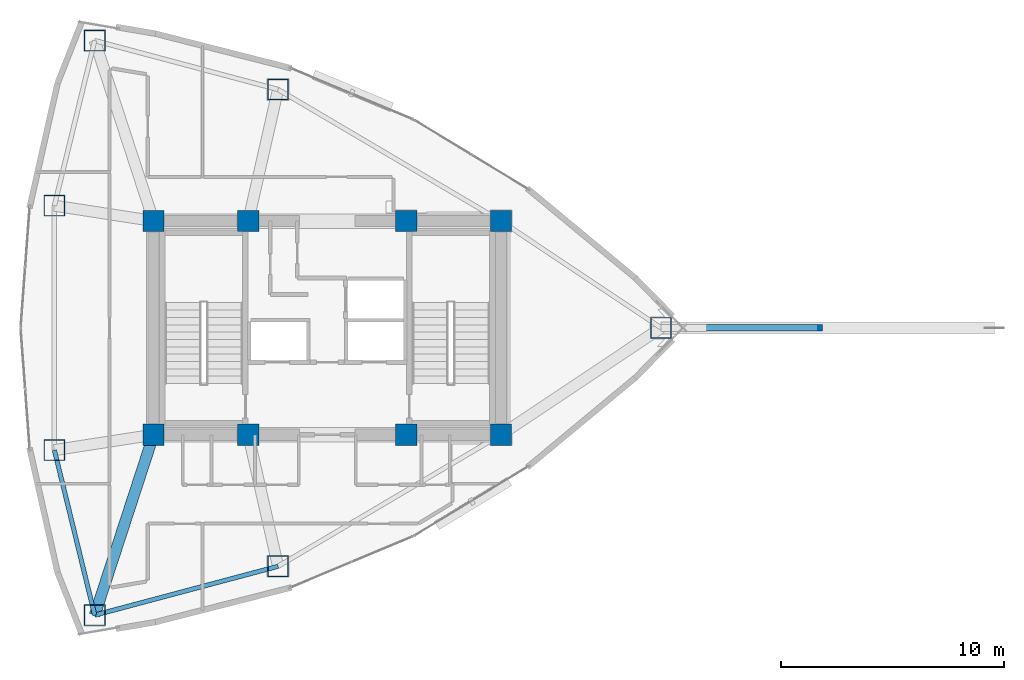
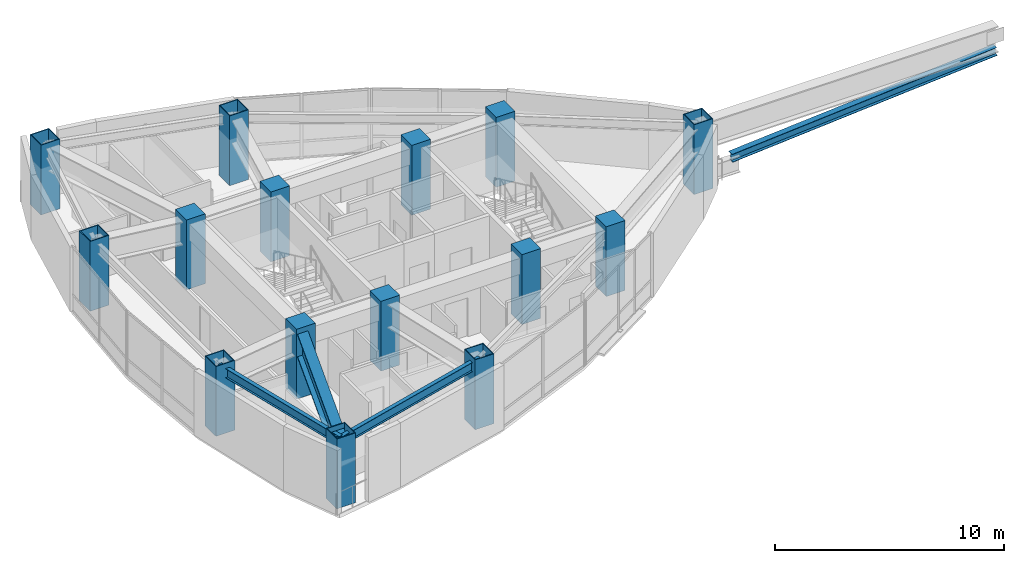
# One storey, part 1 of 15: 16 columns, 3 beams.
"""IFC4 building model written with IfcOpenShell, lengths in metres."""

from ifc_helpers import new_model, si_unit, direction, frame, origin, origin_2d, place, context, subcontext, project, spatial, rectangle, hollow_rectangle, i_section, extrude, material, material_profile, profile_set, type_object, element, save


model = new_model("IFC4")

# Units and contexts
model_context = context("Model", 3, precision=1e-05, world=origin(), true_north=direction((0.0, 1.0)))
body_context = subcontext(model_context, "Body", "Model", "MODEL_VIEW")
ifc_project = project(units=[si_unit("LENGTHUNIT", "METRE"), si_unit("AREAUNIT", "SQUARE_METRE"), si_unit("VOLUMEUNIT", "CUBIC_METRE"), si_unit("PLANEANGLEUNIT", "RADIAN"), si_unit("MASSUNIT", "GRAM", prefix="KILO")], contexts=[model_context])

# Site, building, storey
site_placement = place(None, origin())
site = spatial("IfcSite", under=ifc_project, at=site_placement, CompositionType="ELEMENT")
building_placement = place(site_placement, origin())
building = spatial("IfcBuilding", under=site, at=building_placement, Name="Menara Vayukalpa", CompositionType="ELEMENT")
storey_placement = place(building_placement, frame((0.0, 0.0, 230.699951171875)))
storey = spatial("IfcBuildingStorey", under=building, at=storey_placement, Name="L58", CompositionType="ELEMENT", Elevation=230.699951171875)

# Columns
ifc_material_1 = material(Name="Concrete C60/75", Category="concrete")
ifc_material_profile_1 = material_profile(ifc_material_1, rectangle(XDim=0.949951171875, YDim=0.949951171875, at=origin_2d()), Name="RC 950x950")
ifc_profile_set_1 = profile_set([ifc_material_profile_1], Name="Concrete C60/75")
column_type_1 = type_object("IfcColumnType", Name="COL-CC2", PredefinedType="COLUMN", material=ifc_profile_set_1)
for number, where, z_axis, x_axis, name in (
    (1, (17.800048828125, 17.199951171875, 0.0), (0.0, 0.0, 1.0), (1.0, 0.0, 0.0), "L58 Core Pilaster Column CC1"),
    (2, (22.050048828125, 17.199951171875, 0.0), (0.0, 0.0, 1.0), (1.0, 0.0, 0.0), "L58 Core Pilaster Column CC2"),
    (3, (29.14990234375, 17.199951171875, 0.0), (0.0, 0.0, 1.0), (1.0, 0.0, 0.0), "L58 Core Pilaster Column CC3"),
    (4, (33.39990234375, 17.199951171875, 0.0), (0.0, 0.0, 1.0), (1.0, 0.0, 0.0), "L58 Core Pilaster Column CC4"),
    (5, (17.800048828125, 26.800048828125, 0.0), (0.0, 0.0, 1.0), (1.0, 0.0, 0.0), "L58 Core Pilaster Column CC5"),
    (6, (22.050048828125, 26.800048828125, 0.0), (0.0, 0.0, 1.0), (1.0, 0.0, 0.0), "L58 Core Pilaster Column CC6"),
    (7, (29.14990234375, 26.800048828125, 0.0), (0.0, 0.0, 1.0), (1.0, 0.0, 0.0), "L58 Core Pilaster Column CC7"),
    (8, (33.39990234375, 26.800048828125, 0.0), (0.0, 0.0, 1.0), (1.0, 0.0, 0.0), "L58 Core Pilaster Column CC8"),
):
    element("IfcColumn", number, at=place(storey_placement, frame(where, z_axis=z_axis, x_axis=x_axis)), inside=storey, type_object=column_type_1, Name=name, PredefinedType="COLUMN", context=body_context, shape_type="SweptSolid", body=[
        extrude(rectangle(XDim=0.949951171875, YDim=0.949951171875, at=origin_2d()), origin(), (0.0, 0.0, 1.0), 3.719970703125),
    ])
ifc_material_2 = material(Name="Steel S460", Category="steel")
ifc_material_profile_2 = material_profile(ifc_material_2, hollow_rectangle(XDim=0.949951171875, YDim=0.949951171875, WallThickness=0.0400390625, at=origin_2d()), Name="BOX 950x950x40")
ifc_profile_set_2 = profile_set([ifc_material_profile_2], Name="Steel S460")
column_type_2 = type_object("IfcColumnType", Name="COL-MC4", PredefinedType="COLUMN", material=ifc_profile_set_2)
for number, where, z_axis, x_axis, name in (
    (9, (40.590576171875, 22.0, 0.0), (0.0, 0.0, 1.0), (1.0, 0.0, 0.0), "L58 Perimeter Mega Column P01"),
    (10, (23.389404296875, 32.70849609375, 0.0), (0.0, 0.0, 1.0), (1.0, 0.0, 0.0), "L58 Perimeter Mega Column P03"),
    (11, (15.15478515625, 34.902587890625, 0.0), (0.0, 0.0, 1.0), (1.0, 0.0, 0.0), "L58 Perimeter Mega Column P04"),
    (12, (13.343994140625, 27.4892578125, 0.0), (0.0, 0.0, 1.0), (1.0, 0.0, 0.0), "L58 Perimeter Mega Column P05"),
    (13, (13.343994140625, 16.5107421875, 0.0), (0.0, 0.0, 1.0), (1.0, 0.0, 0.0), "L58 Perimeter Mega Column P06"),
    (14, (15.15478515625, 9.097412109375, 0.0), (0.0, 0.0, 1.0), (1.0, 0.0, 0.0), "L58 Perimeter Mega Column P07"),
    (15, (23.389404296875, 11.29150390625, 0.0), (0.0, 0.0, 1.0), (1.0, 0.0, 0.0), "L58 Perimeter Mega Column P08"),
):
    element("IfcColumn", number, at=place(storey_placement, frame(where, z_axis=z_axis, x_axis=x_axis)), inside=storey, type_object=column_type_2, Name=name, PredefinedType="COLUMN", context=body_context, shape_type="SweptSolid", body=[
        extrude(hollow_rectangle(XDim=0.949951171875, YDim=0.949951171875, WallThickness=0.0400390625, at=origin_2d()), origin(), (0.0, 0.0, 1.0), 3.719970703125),
    ])
ifc_material_3 = material(Name="Steel S355", Category="steel")
ifc_material_profile_3 = material_profile(ifc_material_3, i_section(OverallWidth=0.300048828125, OverallDepth=0.43994140625, WebThickness=0.010986328125, FlangeThickness=0.01806640625, at=origin_2d()), Name="H 440x300x11x18")
ifc_profile_set_3 = profile_set([ifc_material_profile_3], Name="Steel S355")
column_type_3 = type_object("IfcColumnType", Name="COL-SC2E", PredefinedType="COLUMN", material=ifc_profile_set_3)
column_placement = place(storey_placement, frame((42.240478515625, 22.0, 0.989990234375), z_axis=(0.997025291381, 0.0, 0.077075082533), x_axis=(0.0, 1.0, 0.0)))
element("IfcColumn", 16, at=column_placement, inside=storey, type_object=column_type_3, Name="L58 SB5 Exterior Inclined Mega Strut 01", PredefinedType="COLUMN", context=body_context, shape_type="SweptSolid", body=[
    extrude(i_section(OverallWidth=0.300048828125, OverallDepth=0.43994140625, WebThickness=0.010986328125, FlangeThickness=0.01806640625, at=origin_2d()), origin(), (0.0, 0.0, 1.0), 13.364013671875),
])

# Beams
ifc_material_4 = material(Name="Steel S355", Category="steel")
ifc_material_profile_4 = material_profile(ifc_material_4, i_section(OverallWidth=0.199951171875, OverallDepth=0.5, WebThickness=0.010009765625, FlangeThickness=0.01611328125, at=origin_2d()), Name="WF 500x200x10x16")
ifc_profile_set_4 = profile_set([ifc_material_profile_4], Name="Steel S355")
beam_type_1 = type_object("IfcBeamType", Name="BM-SP3", PredefinedType="SPANDREL", material=ifc_profile_set_4)
beam_1_placement = place(storey_placement, frame((13.343994140625, 16.5107421875, 3.18994140625), z_axis=(0.237285374413, -0.971439988414, 0.0), x_axis=(0.971439988414, 0.237285374413, 0.0)))
element("IfcBeam", 17, at=beam_1_placement, inside=storey, type_object=beam_type_1, Name="L58 Perimeter Spandrel Beam SP06", PredefinedType="SPANDREL", context=body_context, shape_type="SweptSolid", body=[
    extrude(i_section(OverallWidth=0.199951171875, OverallDepth=0.5, WebThickness=0.010009765625, FlangeThickness=0.01611328125, at=origin_2d()), origin(), (0.0, 0.0, 1.0), 7.63134765625),
])
beam_2_placement = place(storey_placement, frame((15.15478515625, 9.097412109375, 3.18994140625), z_axis=(0.966287699272, 0.25746472037, 0.0), x_axis=(-0.25746472037, 0.966287699272, 0.0)))
element("IfcBeam", 18, at=beam_2_placement, inside=storey, type_object=beam_type_1, Name="L58 Perimeter Spandrel Beam SP07", PredefinedType="SPANDREL", context=body_context, shape_type="SweptSolid", body=[
    extrude(i_section(OverallWidth=0.199951171875, OverallDepth=0.5, WebThickness=0.010009765625, FlangeThickness=0.01611328125, at=origin_2d()), origin(), (0.0, 0.0, 1.0), 8.52197265625),
])
ifc_material_5 = material(Name="Steel S460", Category="steel")
ifc_material_profile_5 = material_profile(ifc_material_5, i_section(OverallWidth=0.5, OverallDepth=1.25, WebThickness=0.028076171875, FlangeThickness=0.054931640625, at=origin_2d()), Name="WG 1250x500x28x55")
ifc_profile_set_5 = profile_set([ifc_material_profile_5], Name="Steel S460")
beam_type_2 = type_object("IfcBeamType", Name="BM-TG2", PredefinedType="BEAM", material=ifc_profile_set_5)
beam_3_placement = place(storey_placement, frame((17.722412109375, 16.96240234375, 2.81494140625), z_axis=(-0.310343552153, -0.950624468251, 0.0), x_axis=(0.950624468251, -0.310343552153, 0.0)))
element("IfcBeam", 19, at=beam_3_placement, inside=storey, type_object=beam_type_2, Name="L58 Primary Radial Girder RG07", PredefinedType="BEAM", context=body_context, shape_type="SweptSolid", body=[
    extrude(i_section(OverallWidth=0.5, OverallDepth=1.25, WebThickness=0.028076171875, FlangeThickness=0.054931640625, at=origin_2d()), origin(), (0.0, 0.0, 1.0), 8.2734375),
])

save(model, "model.ifc")
